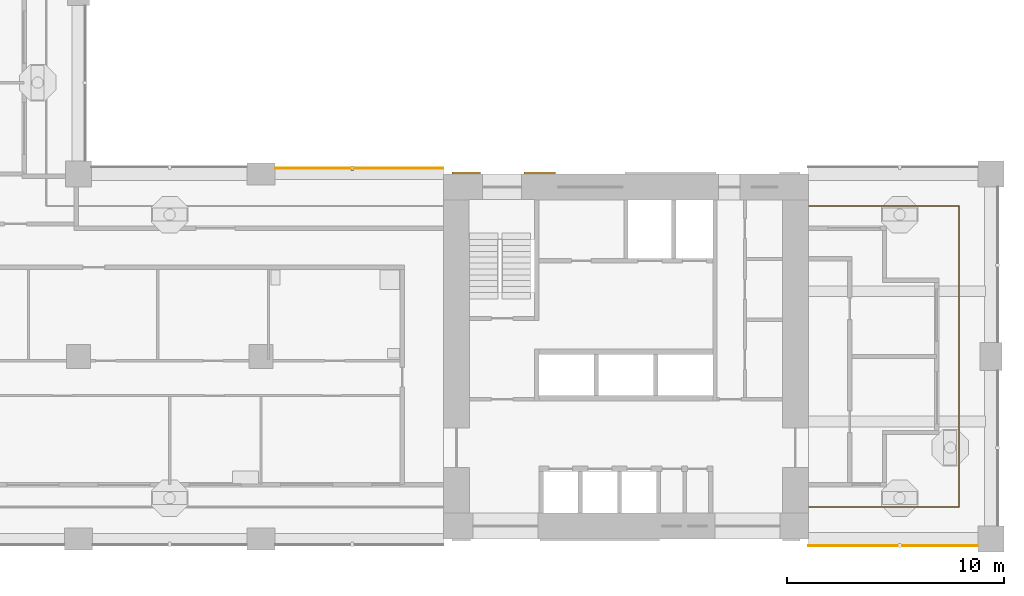
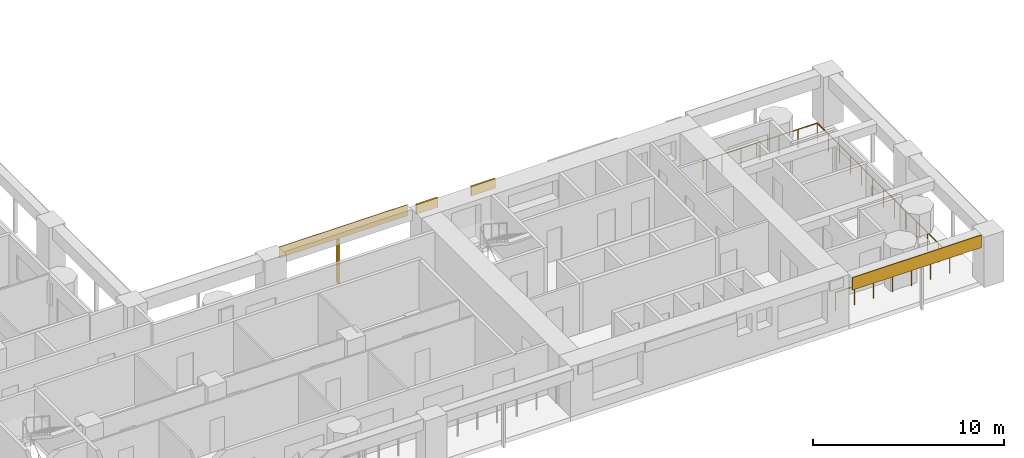
# One storey, part 12 of 18: 5 shading devices, 1 railing.
"""IFC4 building model written with IfcOpenShell, lengths in metres."""

import ifcopenshell
import ifcopenshell.guid

model = None  # the IFC model being written
_history = None  # IfcOwnerHistory: only IFC2X3 demands one
_inside = {}  # id of a spatial element -> (the spatial element, [elements in it])
_under = {}  # id of a project, library or spatial element -> (it, [spatial elements below it])
_declared = {}  # id of a project -> (the project, [libraries it declares])
_typed = {}  # id of a type object -> (the type object, [elements of that type])
_made_of = {}  # id of a material, layer set ... -> (it, [elements and type objects made of it])


def new_model(schema):
    """Start an empty IFC model of exactly this schema.

    Asked for "IFC4X3", IfcOpenShell would pick the latest addendum, in which some entities
    have other attributes; the version numbers below select the first issue.
    IFC2X3 requires an IfcOwnerHistory on every rooted entity: one is made here for all.
    """
    global model, _history
    if schema == "IFC4X3":
        model = ifcopenshell.file(schema_version=(4, 3, 0, 0))
    else:
        model = ifcopenshell.file(schema=schema)
    _inside.clear()
    _under.clear()
    _declared.clear()
    _typed.clear()
    _made_of.clear()
    _history = None
    if model.schema == "IFC2X3":
        org = make("IfcOrganization", Name="unknown")
        user = make(
            "IfcPersonAndOrganization",
            ThePerson=make("IfcPerson", FamilyName="unknown"),
            TheOrganization=org,
        )
        app = make(
            "IfcApplication",
            ApplicationDeveloper=org,
            Version="unknown",
            ApplicationFullName="unknown",
            ApplicationIdentifier="unknown",
        )
        _history = make(
            "IfcOwnerHistory",
            OwningUser=user,
            OwningApplication=app,
            ChangeAction="ADDED",
            CreationDate=0,
        )
    return model


def make(cls, **values):
    """One entity of the class cls with the attributes given. An attribute that is None is left unset."""
    return model.create_entity(
        cls, **{name: value for name, value in values.items() if value is not None}
    )


def rooted(cls, **values):
    """An entity with a GlobalId (a new one), such as an element, a storey or a relation."""
    return make(cls, GlobalId=ifcopenshell.guid.new(), OwnerHistory=_history, **values)


def si_unit(unit_type, name, prefix=None):
    """IfcSIUnit, for example si_unit("LENGTHUNIT", "METRE", prefix="MILLI")."""
    return make("IfcSIUnit", UnitType=unit_type, Prefix=prefix, Name=name)


def assignment(units):
    """IfcUnitAssignment: the units of a project."""
    return None if units is None else make("IfcUnitAssignment", Units=units)


def point(xyz):
    """IfcCartesianPoint."""
    return None if xyz is None else make("IfcCartesianPoint", Coordinates=xyz)


def direction(xyz):
    """IfcDirection."""
    return None if xyz is None else make("IfcDirection", DirectionRatios=xyz)


def frame(location, z_axis=None, x_axis=None):
    """IfcAxis2Placement3D, a coordinate frame: its origin and axes. An axis left out is left unset."""
    return make(
        "IfcAxis2Placement3D",
        Location=point(location),
        Axis=direction(z_axis),
        RefDirection=direction(x_axis),
    )


def frame_2d(location, x_axis=None):
    """IfcAxis2Placement2D, a coordinate frame in the plane: its origin and x axis."""
    return make(
        "IfcAxis2Placement2D", Location=point(location), RefDirection=direction(x_axis)
    )


def origin():
    """The frame at (0, 0, 0) with its axes left unset."""
    return frame((0.0, 0.0, 0.0))


def origin_2d():
    """The frame at (0, 0) in the plane with its x axis left unset."""
    return frame_2d((0.0, 0.0))


def place(relative_to, where):
    """IfcLocalPlacement: puts the frame where relative to a parent placement (None: the world)."""
    return make(
        "IfcLocalPlacement", PlacementRelTo=relative_to, RelativePlacement=where
    )


def context(
    kind, dimensions, precision=None, world=None, true_north=None, identifier=None
):
    """IfcGeometricRepresentationContext, for example the 3D "Model" context."""
    return make(
        "IfcGeometricRepresentationContext",
        ContextIdentifier=identifier,
        ContextType=kind,
        CoordinateSpaceDimension=dimensions,
        Precision=precision,
        WorldCoordinateSystem=world,
        TrueNorth=true_north,
    )


def subcontext(parent, identifier, kind, view, scale=None):
    """IfcGeometricRepresentationSubContext, for example "Body" below "Model"."""
    return make(
        "IfcGeometricRepresentationSubContext",
        ContextIdentifier=identifier,
        ContextType=kind,
        ParentContext=parent,
        TargetScale=scale,
        TargetView=view,
    )


def project(units=None, contexts=None):
    """IfcProject with its units and contexts."""
    return rooted(
        "IfcProject",
        Name="project",
        RepresentationContexts=contexts,
        UnitsInContext=assignment(units),
    )


def spatial(cls, under=None, at=None, **own):
    """A site, building, storey or space (cls), placed at a placement, below another one or the project."""
    s = rooted(cls, ObjectPlacement=at, **own)
    if under is not None:
        _under.setdefault(under.id(), (under, []))[1].append(s)
    return s


def profile(cls, at=None, kind="AREA", **sizes):
    """A parametric profile (cls). Its sizes go by their IFC names, for example OverallWidth=200.0."""
    return make(cls, ProfileType=kind, Position=at, **sizes)


def rectangle(**sizes):
    """IfcRectangleProfileDef."""
    return profile("IfcRectangleProfileDef", **sizes)


def circle(**sizes):
    """IfcCircleProfileDef."""
    return profile("IfcCircleProfileDef", **sizes)


def extrude(swept, where, along, depth):
    """IfcExtrudedAreaSolid: the profile swept, set in the frame where, extruded along a direction by depth."""
    return make(
        "IfcExtrudedAreaSolid",
        SweptArea=swept,
        Position=where,
        ExtrudedDirection=direction(along),
        Depth=depth,
    )


def shape(context_of_items, identifier, shape_type, items):
    """IfcShapeRepresentation: the items that make up one representation, for example the "Body"."""
    return make(
        "IfcShapeRepresentation",
        ContextOfItems=context_of_items,
        RepresentationIdentifier=identifier,
        RepresentationType=shape_type,
        Items=items,
    )


def material(Name=None, Category=None):
    """IfcMaterial."""
    return make("IfcMaterial", Name=Name, Category=Category)


def layer(
    of_material, thickness, ventilated=None, Name=None, Category=None, Priority=None
):
    """IfcMaterialLayer: one layer of a wall or slab, of a material (None: an air gap)."""
    return make(
        "IfcMaterialLayer",
        Material=of_material,
        LayerThickness=thickness,
        IsVentilated=ventilated,
        Name=Name,
        Category=Category,
        Priority=Priority,
    )


def layer_set(layers, Name=None):
    """IfcMaterialLayerSet."""
    return make("IfcMaterialLayerSet", MaterialLayers=layers, LayerSetName=Name)


def material_profile(
    of_material, cross_section, Name=None, Category=None, Priority=None
):
    """IfcMaterialProfile: a cross section and its material."""
    return make(
        "IfcMaterialProfile",
        Name=Name,
        Material=of_material,
        Profile=cross_section,
        Priority=Priority,
        Category=Category,
    )


def profile_set(profiles, Name=None, composite=None):
    """IfcMaterialProfileSet."""
    return make(
        "IfcMaterialProfileSet",
        Name=Name,
        MaterialProfiles=profiles,
        CompositeProfile=composite,
    )


def made_of(thing, what):
    """Note that an element or type object is made of a material, layer set ...; save() writes the relation."""
    if what is not None:
        _made_of.setdefault(what.id(), (what, []))[1].append(thing)
    return thing


def type_object(cls, material=None, **own):
    """A type object (cls), such as IfcWallType, which elements share."""
    return made_of(rooted(cls, **own), material)


def element(
    cls,
    number,
    at=None,
    inside=None,
    cuts=None,
    type_object=None,
    material=None,
    context=None,
    identifier="Body",
    shape_type=None,
    held_by="IfcProductDefinitionShape",
    body=None,
    shapes=None,
    **own,
):
    """One element of the class cls, such as IfcWall. Its Tag is "e" and its number.

    at: its placement. inside: the storey or other place that contains it. cuts: it is an
    opening in that element (IfcRelVoidsElement). A single representation is given by context,
    identifier, shape_type and body (its items); several are given by shapes. held_by: the class
    of the entity that holds the representations. save() writes the other relations.
    """
    e = rooted(cls, Tag="e%d" % number, ObjectPlacement=at, **own)
    if body is not None:
        shapes = [shape(context, identifier, shape_type, body)]
    if shapes is not None:
        e.Representation = make(held_by, Representations=shapes)
    if inside is not None:
        _inside.setdefault(inside.id(), (inside, []))[1].append(e)
    if cuts is not None:
        rooted(
            "IfcRelVoidsElement", RelatingBuildingElement=cuts, RelatedOpeningElement=e
        )
    if type_object is not None:
        _typed.setdefault(type_object.id(), (type_object, []))[1].append(e)
    return made_of(e, material)


def aggregate(whole, parts):
    """IfcRelAggregates: a whole, such as a stair, and the parts it consists of."""
    return rooted("IfcRelAggregates", RelatingObject=whole, RelatedObjects=parts)


def save(model, path):
    """Write the relations noted so far, then the file.

    IfcRelAggregates (storeys below a building ...), IfcRelContainedInSpatialStructure (elements
    in a storey), IfcRelDefinesByType, IfcRelAssociatesMaterial and IfcRelDeclares: one each for
    every whole, place, type object, material and project.
    """
    for whole, parts in _under.values():
        aggregate(whole, parts)
    for where, things in _inside.values():
        rooted(
            "IfcRelContainedInSpatialStructure",
            RelatedElements=things,
            RelatingStructure=where,
        )
    for kind, things in _typed.values():
        rooted("IfcRelDefinesByType", RelatedObjects=things, RelatingType=kind)
    for what, things in _made_of.values():
        rooted("IfcRelAssociatesMaterial", RelatedObjects=things, RelatingMaterial=what)
    for by, libraries in _declared.values():
        rooted("IfcRelDeclares", RelatingContext=by, RelatedDefinitions=libraries)
    model.write(path)


model = new_model("IFC4")

# Units and contexts
model_context = context("Model", 3, precision=1e-05, world=origin(), true_north=direction((0.0, 1.0)))
body_context = subcontext(model_context, "Body", "Model", "MODEL_VIEW")
ifc_project = project(units=[si_unit("LENGTHUNIT", "METRE"), si_unit("AREAUNIT", "SQUARE_METRE"), si_unit("VOLUMEUNIT", "CUBIC_METRE"), si_unit("PLANEANGLEUNIT", "RADIAN"), si_unit("MASSUNIT", "GRAM", prefix="KILO")], contexts=[model_context])

# Site, building, storey
site_placement = place(None, origin())
site = spatial("IfcSite", under=ifc_project, at=site_placement, CompositionType="ELEMENT")
building_placement = place(site_placement, origin())
building = spatial("IfcBuilding", under=site, at=building_placement, Name="Vermilion Gate Residences", CompositionType="ELEMENT")
storey_placement = place(building_placement, frame((0.0, 0.0, 88.199951171875)))
storey = spatial("IfcBuildingStorey", under=building, at=storey_placement, Name="L21", CompositionType="ELEMENT", Elevation=88.199951171875)

# Railing
ifc_material_1 = material(Name="Stainless steel and toughened glass", Category="steel")
railing_type = type_object("IfcRailingType", Name="LOGGIA GUARD STEEL AND GLASS 1200", PredefinedType="GUARDRAIL", material=ifc_material_1)
railing_placement = place(storey_placement, frame((58.822021484375, 9.875, 0.0)))
element("IfcRailing", 1, at=railing_placement, inside=storey, type_object=railing_type, Name="Loggia guard", PredefinedType="GUARDRAIL", context=body_context, shape_type="SweptSolid", body=[
    extrude(circle(Radius=0.030029296875, at=origin_2d()), frame((0.0, 0.0, 1.169921875), z_axis=(1.0, 0.0, 0.0), x_axis=(0.0, 1.0, 0.0)), (0.0, 0.0, 1.0), 6.903076171875),
    extrude(circle(Radius=0.030029296875, at=origin_2d()), frame((6.903076171875, 0.0, 1.169921875), z_axis=(0.0, 1.0, 0.0), x_axis=(-1.0, 0.0, 0.0)), (0.0, 0.0, 1.0), 13.85009765625),
    extrude(circle(Radius=0.030029296875, at=origin_2d()), frame((6.903076171875, 13.85009765625, 1.169921875), z_axis=(-1.0, 0.0, 0.0), x_axis=(0.0, -1.0, 0.0)), (0.0, 0.0, 1.0), 6.903076171875),
    extrude(circle(Radius=0.02490234375, at=origin_2d()), origin(), (0.0, 0.0, 1.0), 1.139892578125),
    extrude(circle(Radius=0.02490234375, at=origin_2d()), frame((1.150390625, 0.0, 0.0)), (0.0, 0.0, 1.0), 1.139892578125),
    extrude(circle(Radius=0.02490234375, at=origin_2d()), frame((2.301025390625, 0.0, 0.0)), (0.0, 0.0, 1.0), 1.139892578125),
    extrude(circle(Radius=0.02490234375, at=origin_2d()), frame((3.45166015625, 0.0, 0.0)), (0.0, 0.0, 1.0), 1.139892578125),
    extrude(circle(Radius=0.02490234375, at=origin_2d()), frame((4.60205078125, 0.0, 0.0)), (0.0, 0.0, 1.0), 1.139892578125),
    extrude(circle(Radius=0.02490234375, at=origin_2d()), frame((5.75244140625, 0.0, 0.0)), (0.0, 0.0, 1.0), 1.139892578125),
    extrude(circle(Radius=0.02490234375, at=origin_2d()), frame((6.903076171875, 0.0, 0.0)), (0.0, 0.0, 1.0), 1.139892578125),
    extrude(circle(Radius=0.02490234375, at=origin_2d()), frame((6.903076171875, 1.154296875, 0.0)), (0.0, 0.0, 1.0), 1.139892578125),
    extrude(circle(Radius=0.02490234375, at=origin_2d()), frame((6.903076171875, 2.308349609375, 0.0)), (0.0, 0.0, 1.0), 1.139892578125),
    extrude(circle(Radius=0.02490234375, at=origin_2d()), frame((6.903076171875, 3.46240234375, 0.0)), (0.0, 0.0, 1.0), 1.139892578125),
    extrude(circle(Radius=0.02490234375, at=origin_2d()), frame((6.903076171875, 4.61669921875, 0.0)), (0.0, 0.0, 1.0), 1.139892578125),
    extrude(circle(Radius=0.02490234375, at=origin_2d()), frame((6.903076171875, 5.77099609375, 0.0)), (0.0, 0.0, 1.0), 1.139892578125),
    extrude(circle(Radius=0.02490234375, at=origin_2d()), frame((6.903076171875, 6.925048828125, 0.0)), (0.0, 0.0, 1.0), 1.139892578125),
    extrude(circle(Radius=0.02490234375, at=origin_2d()), frame((6.903076171875, 8.0791015625, 0.0)), (0.0, 0.0, 1.0), 1.139892578125),
    extrude(circle(Radius=0.02490234375, at=origin_2d()), frame((6.903076171875, 9.2333984375, 0.0)), (0.0, 0.0, 1.0), 1.139892578125),
    extrude(circle(Radius=0.02490234375, at=origin_2d()), frame((6.903076171875, 10.3876953125, 0.0)), (0.0, 0.0, 1.0), 1.139892578125),
    extrude(circle(Radius=0.02490234375, at=origin_2d()), frame((6.903076171875, 11.541748046875, 0.0)), (0.0, 0.0, 1.0), 1.139892578125),
    extrude(circle(Radius=0.02490234375, at=origin_2d()), frame((6.903076171875, 12.69580078125, 0.0)), (0.0, 0.0, 1.0), 1.139892578125),
    extrude(circle(Radius=0.02490234375, at=origin_2d()), frame((6.903076171875, 13.85009765625, 0.0)), (0.0, 0.0, 1.0), 1.139892578125),
    extrude(circle(Radius=0.02490234375, at=origin_2d()), frame((5.75244140625, 13.85009765625, 0.0)), (0.0, 0.0, 1.0), 1.139892578125),
    extrude(circle(Radius=0.02490234375, at=origin_2d()), frame((4.60205078125, 13.85009765625, 0.0)), (0.0, 0.0, 1.0), 1.139892578125),
    extrude(circle(Radius=0.02490234375, at=origin_2d()), frame((3.45166015625, 13.85009765625, 0.0)), (0.0, 0.0, 1.0), 1.139892578125),
    extrude(circle(Radius=0.02490234375, at=origin_2d()), frame((2.301025390625, 13.85009765625, 0.0)), (0.0, 0.0, 1.0), 1.139892578125),
    extrude(circle(Radius=0.02490234375, at=origin_2d()), frame((1.150390625, 13.85009765625, 0.0)), (0.0, 0.0, 1.0), 1.139892578125),
    extrude(circle(Radius=0.02490234375, at=origin_2d()), frame((0.0, 13.85009765625, 0.0)), (0.0, 0.0, 1.0), 1.139892578125),
])

# Shading devices
ifc_material_2 = material(Name="Perforated terracotta", Category="masonry")
ifc_layer_1 = layer(ifc_material_2, 0.0400390625)
ifc_layer_set_1 = layer_set([ifc_layer_1], Name="PERFORATED TERRACOTTA SCREEN 40")
shading_device_type_1 = type_object("IfcShadingDeviceType", Name="PERFORATED TERRACOTTA SCREEN 40", PredefinedType="SHUTTER", material=ifc_layer_set_1)
shading_device_1_placement = place(storey_placement, frame((62.699951171875, 8.080078125, 2.419921875), z_axis=(0.0, 0.0, 1.0), x_axis=(1.0, 0.0, 0.0)))
element("IfcShadingDevice", 2, at=shading_device_1_placement, inside=storey, type_object=shading_device_type_1, Name="SCREEN", PredefinedType="SHUTTER", context=body_context, shape_type="SweptSolid", body=[
    extrude(rectangle(XDim=7.800048828125, YDim=0.0400390625, at=origin_2d()), origin(), (0.0, 0.0, 1.0), 0.800048828125),
])
shading_device_2_placement = place(storey_placement, frame((38.125, 25.469970703125, 2.52001953125), z_axis=(0.0, 0.0, 1.0), x_axis=(-1.0, 0.0, 0.0)))
element("IfcShadingDevice", 3, at=shading_device_2_placement, inside=storey, type_object=shading_device_type_1, Name="SCREEN", PredefinedType="SHUTTER", context=body_context, shape_type="SweptSolid", body=[
    extrude(rectangle(XDim=7.75, YDim=0.0400390625, at=origin_2d()), origin(), (0.0, 0.0, 1.0), 0.699951171875),
])
ifc_material_3 = material(Name="Extruded terracotta", Category="masonry")
ifc_material_profile = material_profile(ifc_material_3, rectangle(XDim=0.199951171875, YDim=0.10009765625, at=origin_2d()), Name="BAGUETTE 100 X 200")
ifc_profile_set = profile_set([ifc_material_profile], Name="Extruded terracotta")
shading_device_type_2 = type_object("IfcShadingDeviceType", Name="TERRACOTTA BAGUETTE 100 X 200", PredefinedType="JALOUSIE", material=ifc_profile_set)
shading_device_3_placement = place(storey_placement, frame((37.800048828125, 25.449951171875, -0.280029296875), z_axis=(0.0, 0.0, 1.0), x_axis=(0.0, -1.0, 0.0)))
element("IfcShadingDevice", 4, at=shading_device_3_placement, inside=storey, type_object=shading_device_type_2, Name="BAGUETTE", PredefinedType="JALOUSIE", context=body_context, shape_type="SweptSolid", body=[
    extrude(rectangle(XDim=0.199951171875, YDim=0.10009765625, at=origin_2d()), origin(), (0.0, 0.0, 1.0), 2.800048828125),
])
ifc_material_4 = material(Name="Extruded terracotta", Category="masonry")
ifc_layer_2 = layer(ifc_material_4, 0.10009765625)
ifc_layer_set_2 = layer_set([ifc_layer_2], Name="TERRACOTTA SPANDREL BAND 600 X 100")
shading_device_type_3 = type_object("IfcShadingDeviceType", Name="TERRACOTTA SPANDREL BAND 600 X 100", PredefinedType="USERDEFINED", material=ifc_layer_set_2)
shading_device_4_placement = place(storey_placement, frame((43.050048828125, 25.25, 2.6201171875), z_axis=(0.0, 0.0, 1.0), x_axis=(1.0, 0.0, 0.0)))
element("IfcShadingDevice", 5, at=shading_device_4_placement, inside=storey, type_object=shading_device_type_3, Name="SPANDREL BAND", ObjectType="BAND", PredefinedType="USERDEFINED", context=body_context, shape_type="SweptSolid", body=[
    extrude(rectangle(XDim=1.300048828125, YDim=0.10009765625, at=origin_2d()), origin(), (0.0, 0.0, 1.0), 0.60009765625),
])
shading_device_5_placement = place(storey_placement, frame((46.425048828125, 25.25, 2.6201171875), z_axis=(0.0, 0.0, 1.0), x_axis=(1.0, 0.0, 0.0)))
element("IfcShadingDevice", 6, at=shading_device_5_placement, inside=storey, type_object=shading_device_type_3, Name="SPANDREL BAND", ObjectType="BAND", PredefinedType="USERDEFINED", context=body_context, shape_type="SweptSolid", body=[
    extrude(rectangle(XDim=1.449951171875, YDim=0.10009765625, at=origin_2d()), origin(), (0.0, 0.0, 1.0), 0.60009765625),
])

save(model, "model.ifc")
